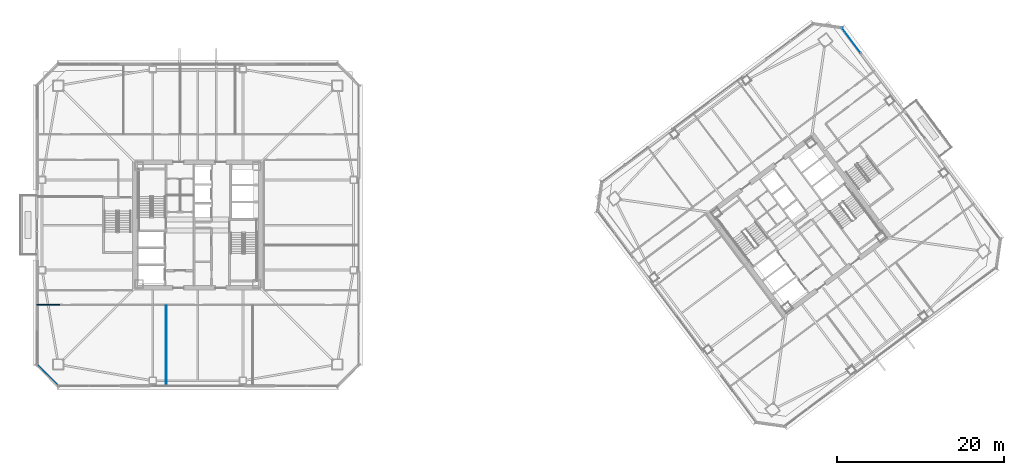
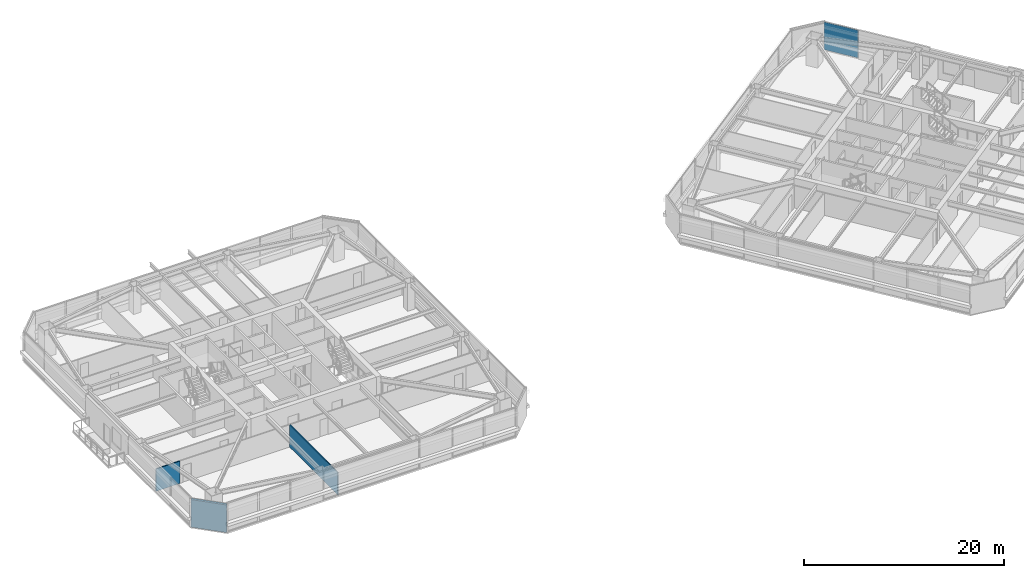
# One storey, part 34 of 46: 3 walls, 1 plate, 1 element without a shape of its own.
"""IFC4 building model written with IfcOpenShell, lengths in metres."""

import ifcopenshell
import ifcopenshell.guid

model = None  # the IFC model being written
_history = None  # IfcOwnerHistory: only IFC2X3 demands one
_inside = {}  # id of a spatial element -> (the spatial element, [elements in it])
_under = {}  # id of a project, library or spatial element -> (it, [spatial elements below it])
_declared = {}  # id of a project -> (the project, [libraries it declares])
_typed = {}  # id of a type object -> (the type object, [elements of that type])
_made_of = {}  # id of a material, layer set ... -> (it, [elements and type objects made of it])


def new_model(schema):
    """Start an empty IFC model of exactly this schema.

    Asked for "IFC4X3", IfcOpenShell would pick the latest addendum, in which some entities
    have other attributes; the version numbers below select the first issue.
    IFC2X3 requires an IfcOwnerHistory on every rooted entity: one is made here for all.
    """
    global model, _history
    if schema == "IFC4X3":
        model = ifcopenshell.file(schema_version=(4, 3, 0, 0))
    else:
        model = ifcopenshell.file(schema=schema)
    _inside.clear()
    _under.clear()
    _declared.clear()
    _typed.clear()
    _made_of.clear()
    _history = None
    if model.schema == "IFC2X3":
        org = make("IfcOrganization", Name="unknown")
        user = make(
            "IfcPersonAndOrganization",
            ThePerson=make("IfcPerson", FamilyName="unknown"),
            TheOrganization=org,
        )
        app = make(
            "IfcApplication",
            ApplicationDeveloper=org,
            Version="unknown",
            ApplicationFullName="unknown",
            ApplicationIdentifier="unknown",
        )
        _history = make(
            "IfcOwnerHistory",
            OwningUser=user,
            OwningApplication=app,
            ChangeAction="ADDED",
            CreationDate=0,
        )
    return model


def make(cls, **values):
    """One entity of the class cls with the attributes given. An attribute that is None is left unset."""
    return model.create_entity(
        cls, **{name: value for name, value in values.items() if value is not None}
    )


def rooted(cls, **values):
    """An entity with a GlobalId (a new one), such as an element, a storey or a relation."""
    return make(cls, GlobalId=ifcopenshell.guid.new(), OwnerHistory=_history, **values)


def si_unit(unit_type, name, prefix=None):
    """IfcSIUnit, for example si_unit("LENGTHUNIT", "METRE", prefix="MILLI")."""
    return make("IfcSIUnit", UnitType=unit_type, Prefix=prefix, Name=name)


def assignment(units):
    """IfcUnitAssignment: the units of a project."""
    return None if units is None else make("IfcUnitAssignment", Units=units)


def point(xyz):
    """IfcCartesianPoint."""
    return None if xyz is None else make("IfcCartesianPoint", Coordinates=xyz)


def direction(xyz):
    """IfcDirection."""
    return None if xyz is None else make("IfcDirection", DirectionRatios=xyz)


def frame(location, z_axis=None, x_axis=None):
    """IfcAxis2Placement3D, a coordinate frame: its origin and axes. An axis left out is left unset."""
    return make(
        "IfcAxis2Placement3D",
        Location=point(location),
        Axis=direction(z_axis),
        RefDirection=direction(x_axis),
    )


def frame_2d(location, x_axis=None):
    """IfcAxis2Placement2D, a coordinate frame in the plane: its origin and x axis."""
    return make(
        "IfcAxis2Placement2D", Location=point(location), RefDirection=direction(x_axis)
    )


def origin():
    """The frame at (0, 0, 0) with its axes left unset."""
    return frame((0.0, 0.0, 0.0))


def origin_2d():
    """The frame at (0, 0) in the plane with its x axis left unset."""
    return frame_2d((0.0, 0.0))


def place(relative_to, where):
    """IfcLocalPlacement: puts the frame where relative to a parent placement (None: the world)."""
    return make(
        "IfcLocalPlacement", PlacementRelTo=relative_to, RelativePlacement=where
    )


def context(
    kind, dimensions, precision=None, world=None, true_north=None, identifier=None
):
    """IfcGeometricRepresentationContext, for example the 3D "Model" context."""
    return make(
        "IfcGeometricRepresentationContext",
        ContextIdentifier=identifier,
        ContextType=kind,
        CoordinateSpaceDimension=dimensions,
        Precision=precision,
        WorldCoordinateSystem=world,
        TrueNorth=true_north,
    )


def subcontext(parent, identifier, kind, view, scale=None):
    """IfcGeometricRepresentationSubContext, for example "Body" below "Model"."""
    return make(
        "IfcGeometricRepresentationSubContext",
        ContextIdentifier=identifier,
        ContextType=kind,
        ParentContext=parent,
        TargetScale=scale,
        TargetView=view,
    )


def project(units=None, contexts=None):
    """IfcProject with its units and contexts."""
    return rooted(
        "IfcProject",
        Name="project",
        RepresentationContexts=contexts,
        UnitsInContext=assignment(units),
    )


def spatial(cls, under=None, at=None, **own):
    """A site, building, storey or space (cls), placed at a placement, below another one or the project."""
    s = rooted(cls, ObjectPlacement=at, **own)
    if under is not None:
        _under.setdefault(under.id(), (under, []))[1].append(s)
    return s


def profile(cls, at=None, kind="AREA", **sizes):
    """A parametric profile (cls). Its sizes go by their IFC names, for example OverallWidth=200.0."""
    return make(cls, ProfileType=kind, Position=at, **sizes)


def rectangle(**sizes):
    """IfcRectangleProfileDef."""
    return profile("IfcRectangleProfileDef", **sizes)


def extrude(swept, where, along, depth):
    """IfcExtrudedAreaSolid: the profile swept, set in the frame where, extruded along a direction by depth."""
    return make(
        "IfcExtrudedAreaSolid",
        SweptArea=swept,
        Position=where,
        ExtrudedDirection=direction(along),
        Depth=depth,
    )


def shape(context_of_items, identifier, shape_type, items):
    """IfcShapeRepresentation: the items that make up one representation, for example the "Body"."""
    return make(
        "IfcShapeRepresentation",
        ContextOfItems=context_of_items,
        RepresentationIdentifier=identifier,
        RepresentationType=shape_type,
        Items=items,
    )


def material(Name=None, Category=None):
    """IfcMaterial."""
    return make("IfcMaterial", Name=Name, Category=Category)


def layer(
    of_material, thickness, ventilated=None, Name=None, Category=None, Priority=None
):
    """IfcMaterialLayer: one layer of a wall or slab, of a material (None: an air gap)."""
    return make(
        "IfcMaterialLayer",
        Material=of_material,
        LayerThickness=thickness,
        IsVentilated=ventilated,
        Name=Name,
        Category=Category,
        Priority=Priority,
    )


def layer_set(layers, Name=None):
    """IfcMaterialLayerSet."""
    return make("IfcMaterialLayerSet", MaterialLayers=layers, LayerSetName=Name)


def made_of(thing, what):
    """Note that an element or type object is made of a material, layer set ...; save() writes the relation."""
    if what is not None:
        _made_of.setdefault(what.id(), (what, []))[1].append(thing)
    return thing


def type_object(cls, material=None, **own):
    """A type object (cls), such as IfcWallType, which elements share."""
    return made_of(rooted(cls, **own), material)


def element(
    cls,
    number,
    at=None,
    inside=None,
    cuts=None,
    type_object=None,
    material=None,
    context=None,
    identifier="Body",
    shape_type=None,
    held_by="IfcProductDefinitionShape",
    body=None,
    shapes=None,
    **own,
):
    """One element of the class cls, such as IfcWall. Its Tag is "e" and its number.

    at: its placement. inside: the storey or other place that contains it. cuts: it is an
    opening in that element (IfcRelVoidsElement). A single representation is given by context,
    identifier, shape_type and body (its items); several are given by shapes. held_by: the class
    of the entity that holds the representations. save() writes the other relations.
    """
    e = rooted(cls, Tag="e%d" % number, ObjectPlacement=at, **own)
    if body is not None:
        shapes = [shape(context, identifier, shape_type, body)]
    if shapes is not None:
        e.Representation = make(held_by, Representations=shapes)
    if inside is not None:
        _inside.setdefault(inside.id(), (inside, []))[1].append(e)
    if cuts is not None:
        rooted(
            "IfcRelVoidsElement", RelatingBuildingElement=cuts, RelatedOpeningElement=e
        )
    if type_object is not None:
        _typed.setdefault(type_object.id(), (type_object, []))[1].append(e)
    return made_of(e, material)


def aggregate(whole, parts):
    """IfcRelAggregates: a whole, such as a stair, and the parts it consists of."""
    return rooted("IfcRelAggregates", RelatingObject=whole, RelatedObjects=parts)


def save(model, path):
    """Write the relations noted so far, then the file.

    IfcRelAggregates (storeys below a building ...), IfcRelContainedInSpatialStructure (elements
    in a storey), IfcRelDefinesByType, IfcRelAssociatesMaterial and IfcRelDeclares: one each for
    every whole, place, type object, material and project.
    """
    for whole, parts in _under.values():
        aggregate(whole, parts)
    for where, things in _inside.values():
        rooted(
            "IfcRelContainedInSpatialStructure",
            RelatedElements=things,
            RelatingStructure=where,
        )
    for kind, things in _typed.values():
        rooted("IfcRelDefinesByType", RelatedObjects=things, RelatingType=kind)
    for what, things in _made_of.values():
        rooted("IfcRelAssociatesMaterial", RelatedObjects=things, RelatingMaterial=what)
    for by, libraries in _declared.values():
        rooted("IfcRelDeclares", RelatingContext=by, RelatedDefinitions=libraries)
    model.write(path)


model = new_model("IFC4")

# Units and contexts
model_context = context("Model", 3, precision=1e-05, world=origin(), true_north=direction((0.0, 1.0)))
body_context = subcontext(model_context, "Body", "Model", "MODEL_VIEW")
ifc_project = project(units=[si_unit("LENGTHUNIT", "METRE"), si_unit("AREAUNIT", "SQUARE_METRE"), si_unit("VOLUMEUNIT", "CUBIC_METRE"), si_unit("PLANEANGLEUNIT", "RADIAN"), si_unit("MASSUNIT", "GRAM", prefix="KILO")], contexts=[model_context])

# Site, building, storey
site_placement = place(None, origin())
site = spatial("IfcSite", under=ifc_project, at=site_placement, CompositionType="ELEMENT")
building_placement = place(site_placement, origin())
building = spatial("IfcBuilding", under=site, at=building_placement, Name="Tashvorn Skyway Center", CompositionType="ELEMENT")
storey_placement = place(building_placement, frame((0.0, 0.0, 132.14990234375)))
storey = spatial("IfcBuildingStorey", under=building, at=storey_placement, Name="L35", CompositionType="ELEMENT", Elevation=132.14990234375)

# Curtain wall, plate
ifc_material_1 = material(Name="Thermally broken bronze-anodized aluminium 6063-T6", Category="aluminium")
curtain_wall_type = type_object("IfcCurtainWallType", Name="CW-CW-Z3", PredefinedType="NOTDEFINED", material=ifc_material_1)
curtain_wall_placement = place(storey_placement, origin())
curtain_wall = element("IfcCurtainWall", 1, at=curtain_wall_placement, inside=storey, type_object=curtain_wall_type, Name="Tower 2 L35 East Curtain Wall L Glazing Group 1", PredefinedType="NOTDEFINED")
ifc_material_2 = material(Name="Low-E solar-control double insulating safety glass", Category="glass")
ifc_layer_1 = layer(ifc_material_2, 0.0400390625)
ifc_layer_set_1 = layer_set([ifc_layer_1], Name="Low-E solar-control double insulating safety glass")
plate_type = type_object("IfcPlateType", Name="CWP-CW-Z3", PredefinedType="CURTAIN_PANEL", material=ifc_layer_set_1)
plate_placement = place(storey_placement, frame((120.259033203125, 54.121337890625, 0.0751953125), z_axis=(0.0, 0.0, 1.0), x_axis=(0.600004127279, -0.799996904524, 0.0)))
plate = element("IfcPlate", 2, at=plate_placement, type_object=plate_type, Name="CW-Z3 panel 1.1", PredefinedType="CURTAIN_PANEL", context=body_context, shape_type="SweptSolid", body=[
    extrude(rectangle(XDim=3.7265625, YDim=0.0400390625, at=origin_2d()), origin(), (0.0, 0.0, 1.0), 3.39990234375),
])
aggregate(curtain_wall, [plate])

# Walls
ifc_material_3 = material(Name="Precast concrete C40/50", Category="concrete")
ifc_layer_2 = layer(ifc_material_3, 0.280029296875)
ifc_layer_set_2 = layer_set([ifc_layer_2], Name="Precast concrete C40/50")
wall_type_1 = type_object("IfcWallType", Name="WALL-EXT-280", PredefinedType="SOLIDWALL", material=ifc_layer_set_2)
wall_1_placement = place(storey_placement, frame((25.300048828125, 12.699951171875, 0.0), z_axis=(0.0, 0.0, 1.0), x_axis=(-0.707106781187, 0.707106781187, 0.0)))
element("IfcWall", 3, at=wall_1_placement, inside=storey, type_object=wall_type_1, Name="Tower 1 L35 SW Precast Chamfer Wall", PredefinedType="SOLIDWALL", context=body_context, shape_type="SweptSolid", body=[
    extrude(rectangle(XDim=3.677001953125, YDim=0.280029296875, at=frame_2d((1.83837890625, 0.0))), origin(), (0.0, 0.0, 1.0), 3.3701171875),
])
ifc_material_4 = material(Name="Gypsum board on cold-formed steel stud framing", Category="steel")
ifc_layer_3 = layer(ifc_material_4, 0.110107421875)
ifc_layer_set_3 = layer_set([ifc_layer_3], Name="Gypsum board on cold-formed steel stud framing")
wall_type_2 = type_object("IfcWallType", Name="WALL-PART-110", PredefinedType="PARTITIONING", material=ifc_layer_set_3)
wall_2_placement = place(storey_placement, frame((38.199951171875, 12.719970703125, 0.0), z_axis=(0.0, 0.0, 1.0), x_axis=(0.0, 1.0, 0.0)))
element("IfcWall", 4, at=wall_2_placement, inside=storey, type_object=wall_type_2, Name="Tower 1 L35 South Suite Partition 1", PredefinedType="PARTITIONING", context=body_context, shape_type="SweptSolid", body=[
    extrude(rectangle(XDim=9.630126953125, YDim=0.110107421875, at=frame_2d((4.81494140625, 0.0))), origin(), (0.0, 0.0, 1.0), 2.72314453125),
])
ifc_layer_4 = layer(ifc_material_4, 0.135009765625)
ifc_layer_set_4 = layer_set([ifc_layer_4], Name="Gypsum board on cold-formed steel stud framing")
wall_type_3 = type_object("IfcWallType", Name="WALL-PART-135", PredefinedType="PARTITIONING", material=ifc_layer_set_4)
wall_3_placement = place(storey_placement, frame((22.719970703125, 22.429931640625, 0.0), z_axis=(0.0, 0.0, 1.0), x_axis=(1.0, 0.0, 0.0)))
element("IfcWall", 5, at=wall_3_placement, inside=storey, type_object=wall_type_3, Name="Tower 1 L35 South-West Suite North Wall", PredefinedType="PARTITIONING", context=body_context, shape_type="SweptSolid", body=[
    extrude(rectangle(XDim=2.72998046875, YDim=0.135009765625, at=frame_2d((1.364990234375, 0.0))), origin(), (0.0, 0.0, 1.0), 2.72314453125),
])

save(model, "model.ifc")
